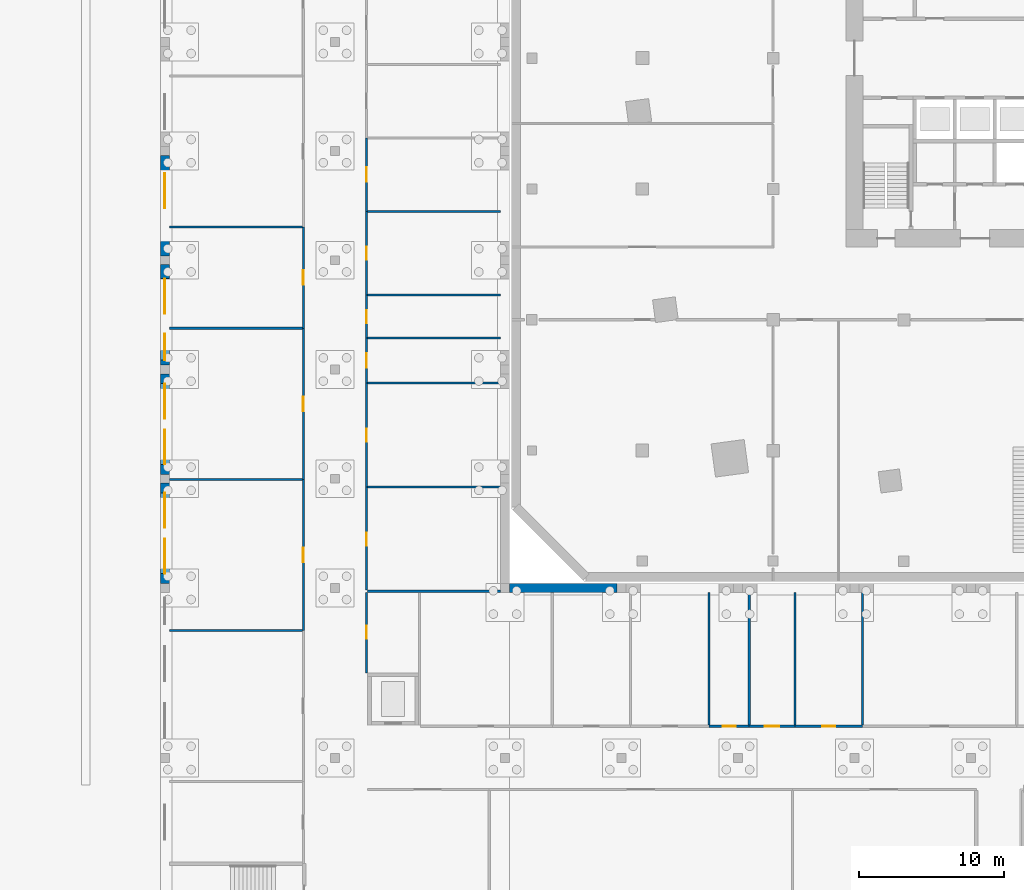
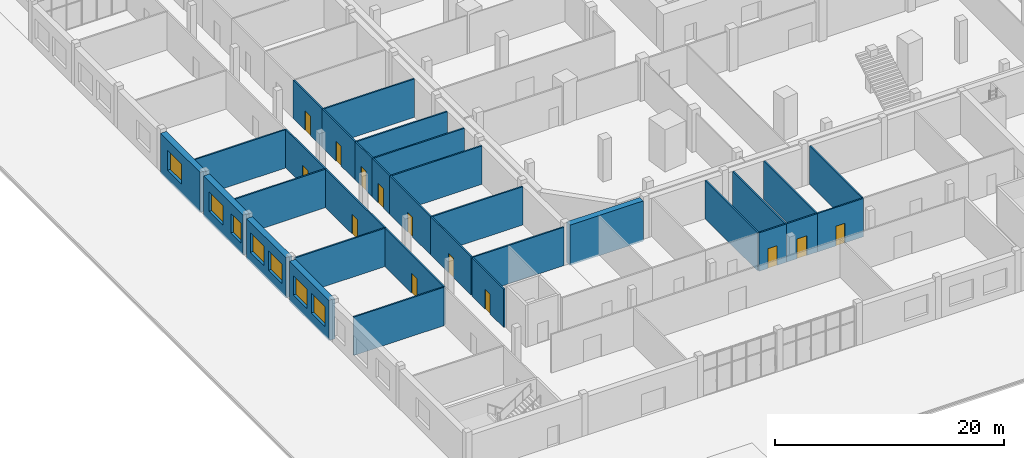
# One storey, part 24 of 42: 32 walls, 13 doors, 7 windows, 20 openings.
"""IFC4 building model written with IfcOpenShell, lengths in metres."""

from ifc_helpers import new_model, si_unit, direction, frame, frame_2d, origin, place, context, subcontext, project, spatial, rectangle, extrude, material, layer, layer_set, type_object, element, fill, save


model = new_model("IFC4")

# Units and contexts
model_context = context("Model", 3, precision=1e-05, world=origin(), true_north=direction((0.0, 1.0)))
body_context = subcontext(model_context, "Body", "Model", "MODEL_VIEW")
ifc_project = project(units=[si_unit("LENGTHUNIT", "METRE"), si_unit("AREAUNIT", "SQUARE_METRE"), si_unit("VOLUMEUNIT", "CUBIC_METRE"), si_unit("PLANEANGLEUNIT", "RADIAN"), si_unit("MASSUNIT", "GRAM", prefix="KILO")], contexts=[model_context])

# Site, building, storey
site_placement = place(None, origin())
site = spatial("IfcSite", under=ifc_project, at=site_placement, CompositionType="ELEMENT")
building_placement = place(site_placement, origin())
building = spatial("IfcBuilding", under=site, at=building_placement, Name="Dilmun Exchange Tower", CompositionType="ELEMENT")
storey_placement = place(building_placement, origin())
storey = spatial("IfcBuildingStorey", under=building, at=storey_placement, Name="L00", CompositionType="ELEMENT", Elevation=0.0)

# Wall, openings, windows
ifc_material_1 = material(Name="Precast concrete C40/50", Category="concrete")
ifc_layer_1 = layer(ifc_material_1, 0.60009765625)
ifc_layer_set_1 = layer_set([ifc_layer_1], Name="Precast concrete C40/50")
wall_type_1 = type_object("IfcWallType", Name="School external wall 600 precast C40/50", PredefinedType="STANDARD", material=ifc_layer_set_1)
wall_1_placement = place(storey_placement, frame((-59.85009765625, -36.14990234375, -0.199951171875), z_axis=(0.0, 0.0, 1.0), x_axis=(0.0, 1.0, 0.0)))
wall_1 = element("IfcWall", 1, at=wall_1_placement, inside=storey, type_object=wall_type_1, Name="School external wall", PredefinedType="STANDARD", context=body_context, shape_type="SweptSolid", body=[
    extrude(rectangle(XDim=6.914306640625, YDim=0.60009765625, at=frame_2d((3.45703125, 0.0))), origin(), (0.0, 0.0, 1.0), 4.300048828125),
])
opening_1_placement = place(wall_1_placement, frame((0.6787109375, 0.0, 1.10009765625)))
opening_1 = element("IfcOpeningElement", 2, at=opening_1_placement, cuts=wall_1, Name="Opening SCH-W24", PredefinedType="OPENING", context=body_context, shape_type="SweptSolid", body=[
    extrude(rectangle(XDim=2.39990234375, YDim=2.10009765625, at=frame_2d((1.199951171875, 1.050048828125))), frame((0.0, 0.31005859375, 0.0), z_axis=(0.0, -1.0, 0.0), x_axis=(1.0, 0.0, 0.0)), (0.0, 0.0, 1.0), 0.6201171875),
])
opening_2_placement = place(wall_1_placement, frame((3.835693359375, 0.0, 1.10009765625)))
opening_2 = element("IfcOpeningElement", 3, at=opening_2_placement, cuts=wall_1, Name="Opening SCH-W24", PredefinedType="OPENING", context=body_context, shape_type="SweptSolid", body=[
    extrude(rectangle(XDim=2.39990234375, YDim=2.10009765625, at=frame_2d((1.199951171875, 1.050048828125))), frame((0.0, 0.31005859375, 0.0), z_axis=(0.0, -1.0, 0.0), x_axis=(1.0, 0.0, 0.0)), (0.0, 0.0, 1.0), 0.6201171875),
])
ifc_material_2 = material(Name="Clear low-emissivity glass in aluminium frame", Category="aluminium")
window_type_1 = type_object("IfcWindowType", Name="School window 2400 x 2100", PartitioningType="DOUBLE_PANEL_VERTICAL", PredefinedType="WINDOW", material=ifc_material_2)
window_1_placement = place(opening_1_placement, origin())
window_1 = element("IfcWindow", 4, at=window_1_placement, inside=storey, type_object=window_type_1, Name="School window", OverallHeight=2.10009765625, OverallWidth=2.39990234375, PartitioningType="SINGLE_PANEL", PredefinedType="WINDOW", context=body_context, shape_type="SweptSolid", body=[
    extrude(rectangle(XDim=2.39990234375, YDim=2.10009765625, at=frame_2d((1.199951171875, 1.050048828125))), frame((0.0, 0.030029296875, 0.0), z_axis=(0.0, -1.0, 0.0), x_axis=(1.0, 0.0, 0.0)), (0.0, 0.0, 1.0), 0.06005859375),
])
fill(opening_1, window_1)
window_2_placement = place(opening_2_placement, origin())
window_2 = element("IfcWindow", 5, at=window_2_placement, inside=storey, type_object=window_type_1, Name="School window", OverallHeight=2.10009765625, OverallWidth=2.39990234375, PartitioningType="SINGLE_PANEL", PredefinedType="WINDOW", context=body_context, shape_type="SweptSolid", body=[
    extrude(rectangle(XDim=2.39990234375, YDim=2.10009765625, at=frame_2d((1.199951171875, 1.050048828125))), frame((0.0, 0.030029296875, 0.0), z_axis=(0.0, -1.0, 0.0), x_axis=(1.0, 0.0, 0.0)), (0.0, 0.0, 1.0), 0.06005859375),
])
fill(opening_2, window_2)

wall_2_placement = place(storey_placement, frame((-59.85009765625, -28.6357421875, -0.199951171875), z_axis=(0.0, 0.0, 1.0), x_axis=(0.0, 1.0, 0.0)))
wall_2 = element("IfcWall", 6, at=wall_2_placement, inside=storey, type_object=wall_type_1, Name="School external wall", PredefinedType="STANDARD", context=body_context, shape_type="SweptSolid", body=[
    extrude(rectangle(XDim=6.914306640625, YDim=0.60009765625, at=frame_2d((3.45703125, 0.0))), origin(), (0.0, 0.0, 1.0), 4.300048828125),
])
opening_3_placement = place(wall_2_placement, frame((0.6787109375, 0.0, 1.10009765625)))
opening_3 = element("IfcOpeningElement", 7, at=opening_3_placement, cuts=wall_2, Name="Opening SCH-W24", PredefinedType="OPENING", context=body_context, shape_type="SweptSolid", body=[
    extrude(rectangle(XDim=2.39990234375, YDim=2.10009765625, at=frame_2d((1.199951171875, 1.050048828125))), frame((0.0, 0.31005859375, 0.0), z_axis=(0.0, -1.0, 0.0), x_axis=(1.0, 0.0, 0.0)), (0.0, 0.0, 1.0), 0.6201171875),
])
opening_4_placement = place(wall_2_placement, frame((3.835693359375, 0.0, 1.10009765625)))
opening_4 = element("IfcOpeningElement", 8, at=opening_4_placement, cuts=wall_2, Name="Opening SCH-W24", PredefinedType="OPENING", context=body_context, shape_type="SweptSolid", body=[
    extrude(rectangle(XDim=2.39990234375, YDim=2.10009765625, at=frame_2d((1.199951171875, 1.050048828125))), frame((0.0, 0.31005859375, 0.0), z_axis=(0.0, -1.0, 0.0), x_axis=(1.0, 0.0, 0.0)), (0.0, 0.0, 1.0), 0.6201171875),
])
window_3_placement = place(opening_3_placement, origin())
window_3 = element("IfcWindow", 9, at=window_3_placement, inside=storey, type_object=window_type_1, Name="School window", OverallHeight=2.10009765625, OverallWidth=2.39990234375, PartitioningType="SINGLE_PANEL", PredefinedType="WINDOW", context=body_context, shape_type="SweptSolid", body=[
    extrude(rectangle(XDim=2.39990234375, YDim=2.10009765625, at=frame_2d((1.199951171875, 1.050048828125))), frame((0.0, 0.030029296875, 0.0), z_axis=(0.0, -1.0, 0.0), x_axis=(1.0, 0.0, 0.0)), (0.0, 0.0, 1.0), 0.06005859375),
])
fill(opening_3, window_3)
window_4_placement = place(opening_4_placement, origin())
window_4 = element("IfcWindow", 10, at=window_4_placement, inside=storey, type_object=window_type_1, Name="School window", OverallHeight=2.10009765625, OverallWidth=2.39990234375, PartitioningType="SINGLE_PANEL", PredefinedType="WINDOW", context=body_context, shape_type="SweptSolid", body=[
    extrude(rectangle(XDim=2.39990234375, YDim=2.10009765625, at=frame_2d((1.199951171875, 1.050048828125))), frame((0.0, 0.030029296875, 0.0), z_axis=(0.0, -1.0, 0.0), x_axis=(1.0, 0.0, 0.0)), (0.0, 0.0, 1.0), 0.06005859375),
])
fill(opening_4, window_4)

wall_3_placement = place(storey_placement, frame((-59.85009765625, -21.121337890625, -0.199951171875), z_axis=(0.0, 0.0, 1.0), x_axis=(0.0, 1.0, 0.0)))
wall_3 = element("IfcWall", 11, at=wall_3_placement, inside=storey, type_object=wall_type_1, Name="School external wall", PredefinedType="STANDARD", context=body_context, shape_type="SweptSolid", body=[
    extrude(rectangle(XDim=6.914306640625, YDim=0.60009765625, at=frame_2d((3.45703125, 0.0))), origin(), (0.0, 0.0, 1.0), 4.300048828125),
])
opening_5_placement = place(wall_3_placement, frame((0.343994140625, 0.0, 1.10009765625)))
opening_5 = element("IfcOpeningElement", 12, at=opening_5_placement, cuts=wall_3, Name="Opening SCH-W18", PredefinedType="OPENING", context=body_context, shape_type="SweptSolid", body=[
    extrude(rectangle(XDim=1.800048828125, YDim=2.10009765625, at=frame_2d((0.89990234375, 1.050048828125))), frame((0.0, 0.31005859375, 0.0), z_axis=(0.0, -1.0, 0.0), x_axis=(1.0, 0.0, 0.0)), (0.0, 0.0, 1.0), 0.6201171875),
])
opening_6_placement = place(wall_3_placement, frame((3.546142578125, 0.0, 1.10009765625)))
opening_6 = element("IfcOpeningElement", 13, at=opening_6_placement, cuts=wall_3, Name="Opening SCH-W24", PredefinedType="OPENING", context=body_context, shape_type="SweptSolid", body=[
    extrude(rectangle(XDim=2.39990234375, YDim=2.10009765625, at=frame_2d((1.199951171875, 1.050048828125))), frame((0.0, 0.31005859375, 0.0), z_axis=(0.0, -1.0, 0.0), x_axis=(1.0, 0.0, 0.0)), (0.0, 0.0, 1.0), 0.6201171875),
])
window_type_2 = type_object("IfcWindowType", Name="School window 1800 x 2100", PartitioningType="DOUBLE_PANEL_VERTICAL", PredefinedType="WINDOW", material=ifc_material_2)
window_5_placement = place(opening_5_placement, origin())
window_5 = element("IfcWindow", 14, at=window_5_placement, inside=storey, type_object=window_type_2, Name="School window", OverallHeight=2.10009765625, OverallWidth=1.800048828125, PartitioningType="SINGLE_PANEL", PredefinedType="WINDOW", context=body_context, shape_type="SweptSolid", body=[
    extrude(rectangle(XDim=1.800048828125, YDim=2.10009765625, at=frame_2d((0.89990234375, 1.050048828125))), frame((0.0, 0.030029296875, 0.0), z_axis=(0.0, -1.0, 0.0), x_axis=(1.0, 0.0, 0.0)), (0.0, 0.0, 1.0), 0.06005859375),
])
fill(opening_5, window_5)
window_6_placement = place(opening_6_placement, origin())
window_6 = element("IfcWindow", 15, at=window_6_placement, inside=storey, type_object=window_type_1, Name="School window", OverallHeight=2.10009765625, OverallWidth=2.39990234375, PartitioningType="SINGLE_PANEL", PredefinedType="WINDOW", context=body_context, shape_type="SweptSolid", body=[
    extrude(rectangle(XDim=2.39990234375, YDim=2.10009765625, at=frame_2d((1.199951171875, 1.050048828125))), frame((0.0, 0.030029296875, 0.0), z_axis=(0.0, -1.0, 0.0), x_axis=(1.0, 0.0, 0.0)), (0.0, 0.0, 1.0), 0.06005859375),
])
fill(opening_6, window_6)

# Wall, opening, window
wall_4_placement = place(storey_placement, frame((-59.85009765625, -13.607177734375, -0.199951171875), z_axis=(0.0, 0.0, 1.0), x_axis=(0.0, 1.0, 0.0)))
wall_4 = element("IfcWall", 16, at=wall_4_placement, inside=storey, type_object=wall_type_1, Name="School external wall", PredefinedType="STANDARD", context=body_context, shape_type="SweptSolid", body=[
    extrude(rectangle(XDim=6.914306640625, YDim=0.60009765625, at=frame_2d((3.45703125, 0.0))), origin(), (0.0, 0.0, 1.0), 4.300048828125),
])
opening_7_placement = place(wall_4_placement, frame((3.27783203125, 0.0, 1.10009765625)))
opening_7 = element("IfcOpeningElement", 17, at=opening_7_placement, cuts=wall_4, Name="Opening SCH-W24", PredefinedType="OPENING", context=body_context, shape_type="SweptSolid", body=[
    extrude(rectangle(XDim=2.39990234375, YDim=2.10009765625, at=frame_2d((1.199951171875, 1.050048828125))), frame((0.0, 0.31005859375, 0.0), z_axis=(0.0, -1.0, 0.0), x_axis=(1.0, 0.0, 0.0)), (0.0, 0.0, 1.0), 0.6201171875),
])
window_7_placement = place(opening_7_placement, origin())
window_7 = element("IfcWindow", 18, at=window_7_placement, inside=storey, type_object=window_type_1, Name="School window", OverallHeight=2.10009765625, OverallWidth=2.39990234375, PartitioningType="SINGLE_PANEL", PredefinedType="WINDOW", context=body_context, shape_type="SweptSolid", body=[
    extrude(rectangle(XDim=2.39990234375, YDim=2.10009765625, at=frame_2d((1.199951171875, 1.050048828125))), frame((0.0, 0.030029296875, 0.0), z_axis=(0.0, -1.0, 0.0), x_axis=(1.0, 0.0, 0.0)), (0.0, 0.0, 1.0), 0.06005859375),
])
fill(opening_7, window_7)

# Walls
wall_5_placement = place(storey_placement, frame((-36.14990234375, -36.449951171875, -0.199951171875), z_axis=(0.0, 0.0, 1.0), x_axis=(1.0, 0.0, 0.0)))
element("IfcWall", 19, at=wall_5_placement, inside=storey, type_object=wall_type_1, Name="School external wall", PredefinedType="STANDARD", context=body_context, shape_type="SweptSolid", body=[
    extrude(rectangle(XDim=7.41650390625, YDim=0.60009765625, at=frame_2d((3.708251953125, 0.0))), origin(), (0.0, 0.0, 1.0), 4.300048828125),
])
ifc_material_3 = material(Name="Gypsum board on steel studs", Category="steel")
ifc_layer_2 = layer(ifc_material_3, 0.14990234375)
ifc_layer_set_2 = layer_set([ifc_layer_2], Name="Gypsum board on steel studs")
wall_type_2 = type_object("IfcWallType", Name="School partition 150 gypsum board", PredefinedType="PARTITIONING", material=ifc_layer_set_2)
for number, where, z_axis, x_axis, name in (
    (20, (-59.550048828125, -39.371337890625, 0.0), (0.0, 0.0, 1.0), (1.0, 0.0, 0.0), "School partition"),
    (21, (-59.550048828125, -28.97998046875, 0.0), (0.0, 0.0, 1.0), (1.0, 0.0, 0.0), "School partition"),
    (22, (-59.550048828125, -18.58837890625, 0.0), (0.0, 0.0, 1.0), (1.0, 0.0, 0.0), "School partition"),
    (23, (-59.550048828125, -11.610595703125, 0.0), (0.0, 0.0, 1.0), (1.0, 0.0, 0.0), "School partition"),
):
    element("IfcWall", number, at=place(storey_placement, frame(where, z_axis=z_axis, x_axis=x_axis)), inside=storey, type_object=wall_type_2, Name=name, PredefinedType="PARTITIONING", context=body_context, shape_type="SweptSolid", body=[
        extrude(rectangle(XDim=9.150146484375, YDim=0.14990234375, at=frame_2d((4.5751953125, 0.0))), origin(), (0.0, 0.0, 1.0), 4.10009765625),
    ])

# Wall, opening, door
wall_6_placement = place(storey_placement, frame((-50.324951171875, -39.371337890625, 0.0), z_axis=(0.0, 0.0, 1.0), x_axis=(0.0, 1.0, 0.0)))
wall_6 = element("IfcWall", 24, at=wall_6_placement, inside=storey, type_object=wall_type_2, Name="School corridor wall", PredefinedType="PARTITIONING", context=body_context, shape_type="SweptSolid", body=[
    extrude(rectangle(XDim=10.391357421875, YDim=0.14990234375, at=frame_2d((5.19580078125, 0.0))), origin(), (0.0, 0.0, 1.0), 4.10009765625),
])
opening_8_placement = place(wall_6_placement, frame((4.69580078125, 0.0, 0.0)))
opening_8 = element("IfcOpeningElement", 25, at=opening_8_placement, cuts=wall_6, Name="Opening SCH-D1", PredefinedType="OPENING", context=body_context, shape_type="SweptSolid", body=[
    extrude(rectangle(XDim=1.0, YDim=2.10009765625, at=frame_2d((0.5, 1.050048828125))), frame((0.0, 0.0849609375, 0.0), z_axis=(0.0, -1.0, 0.0), x_axis=(1.0, 0.0, 0.0)), (0.0, 0.0, 1.0), 0.169921875),
])
ifc_material_4 = material(Name="Timber door leaf in steel frame", Category="steel")
door_type_1 = type_object("IfcDoorType", Name="School door FD30S 1000 x 2100", OperationType="NOTDEFINED", PredefinedType="DOOR", material=ifc_material_4)
door_1_placement = place(opening_8_placement, origin())
door_1 = element("IfcDoor", 26, at=door_1_placement, inside=storey, type_object=door_type_1, Name="Music room door", OperationType="SINGLE_SWING_RIGHT", OverallHeight=2.10009765625, OverallWidth=1.0, PredefinedType="DOOR", context=body_context, shape_type="SweptSolid", body=[
    extrude(rectangle(XDim=1.0, YDim=2.10009765625, at=frame_2d((0.5, 1.050048828125))), frame((0.0, 0.02490234375, 0.0), z_axis=(0.0, -1.0, 0.0), x_axis=(1.0, 0.0, 0.0)), (0.0, 0.0, 1.0), 0.050048828125),
])
fill(opening_8, door_1)

wall_7_placement = place(storey_placement, frame((-50.324951171875, -28.97998046875, 0.0), z_axis=(0.0, 0.0, 1.0), x_axis=(0.0, 1.0, 0.0)))
wall_7 = element("IfcWall", 27, at=wall_7_placement, inside=storey, type_object=wall_type_2, Name="School corridor wall", PredefinedType="PARTITIONING", context=body_context, shape_type="SweptSolid", body=[
    extrude(rectangle(XDim=10.3916015625, YDim=0.14990234375, at=frame_2d((5.19580078125, 0.0))), origin(), (0.0, 0.0, 1.0), 4.10009765625),
])
opening_9_placement = place(wall_7_placement, frame((4.69580078125, 0.0, 0.0)))
opening_9 = element("IfcOpeningElement", 28, at=opening_9_placement, cuts=wall_7, Name="Opening SCH-D1", PredefinedType="OPENING", context=body_context, shape_type="SweptSolid", body=[
    extrude(rectangle(XDim=1.0, YDim=2.10009765625, at=frame_2d((0.5, 1.050048828125))), frame((0.0, 0.0849609375, 0.0), z_axis=(0.0, -1.0, 0.0), x_axis=(1.0, 0.0, 0.0)), (0.0, 0.0, 1.0), 0.169921875),
])
door_2_placement = place(opening_9_placement, origin())
door_2 = element("IfcDoor", 29, at=door_2_placement, inside=storey, type_object=door_type_1, Name="Design and technology workshop door", OperationType="SINGLE_SWING_LEFT", OverallHeight=2.10009765625, OverallWidth=1.0, PredefinedType="DOOR", context=body_context, shape_type="SweptSolid", body=[
    extrude(rectangle(XDim=1.0, YDim=2.10009765625, at=frame_2d((0.5, 1.050048828125))), frame((0.0, 0.02490234375, 0.0), z_axis=(0.0, -1.0, 0.0), x_axis=(1.0, 0.0, 0.0)), (0.0, 0.0, 1.0), 0.050048828125),
])
fill(opening_9, door_2)

wall_8_placement = place(storey_placement, frame((-50.324951171875, -18.58837890625, 0.0), z_axis=(0.0, 0.0, 1.0), x_axis=(0.0, 1.0, 0.0)))
wall_8 = element("IfcWall", 30, at=wall_8_placement, inside=storey, type_object=wall_type_2, Name="School corridor wall", PredefinedType="PARTITIONING", context=body_context, shape_type="SweptSolid", body=[
    extrude(rectangle(XDim=6.977783203125, YDim=0.14990234375, at=frame_2d((3.48876953125, 0.0))), origin(), (0.0, 0.0, 1.0), 4.10009765625),
])
opening_10_placement = place(wall_8_placement, frame((2.98876953125, 0.0, 0.0)))
opening_10 = element("IfcOpeningElement", 31, at=opening_10_placement, cuts=wall_8, Name="Opening SCH-D1", PredefinedType="OPENING", context=body_context, shape_type="SweptSolid", body=[
    extrude(rectangle(XDim=1.0, YDim=2.10009765625, at=frame_2d((0.5, 1.050048828125))), frame((0.0, 0.0849609375, 0.0), z_axis=(0.0, -1.0, 0.0), x_axis=(1.0, 0.0, 0.0)), (0.0, 0.0, 1.0), 0.169921875),
])
door_3_placement = place(opening_10_placement, origin())
door_3 = element("IfcDoor", 32, at=door_3_placement, inside=storey, type_object=door_type_1, Name="Textiles room door", OperationType="SINGLE_SWING_RIGHT", OverallHeight=2.10009765625, OverallWidth=1.0, PredefinedType="DOOR", context=body_context, shape_type="SweptSolid", body=[
    extrude(rectangle(XDim=1.0, YDim=2.10009765625, at=frame_2d((0.5, 1.050048828125))), frame((0.0, 0.02490234375, 0.0), z_axis=(0.0, -1.0, 0.0), x_axis=(1.0, 0.0, 0.0)), (0.0, 0.0, 1.0), 0.050048828125),
])
fill(opening_10, door_3)

# Walls
for number, where, z_axis, x_axis, name in (
    (33, (-45.89990234375, -29.513427734375, 0.0), (0.0, 0.0, 1.0), (1.0, 0.0, 0.0), "School partition"),
    (34, (-45.89990234375, -22.351806640625, 0.0), (0.0, 0.0, 1.0), (1.0, 0.0, 0.0), "School partition"),
    (35, (-45.89990234375, -19.2568359375, 0.0), (0.0, 0.0, 1.0), (1.0, 0.0, 0.0), "School partition"),
    (36, (-45.89990234375, -16.30224609375, 0.0), (0.0, 0.0, 1.0), (1.0, 0.0, 0.0), "School partition"),
    (37, (-45.89990234375, -10.54296875, 0.0), (0.0, 0.0, 1.0), (1.0, 0.0, 0.0), "School partition"),
):
    element("IfcWall", number, at=place(storey_placement, frame(where, z_axis=z_axis, x_axis=x_axis)), inside=storey, type_object=wall_type_2, Name=name, PredefinedType="PARTITIONING", context=body_context, shape_type="SweptSolid", body=[
        extrude(rectangle(XDim=9.14990234375, YDim=0.14990234375, at=frame_2d((4.574951171875, 0.0))), origin(), (0.0, 0.0, 1.0), 4.10009765625),
    ])

# Wall, opening, door
wall_9_placement = place(storey_placement, frame((-45.97509765625, -36.60009765625, 0.0), z_axis=(0.0, 0.0, 1.0), x_axis=(0.0, 1.0, 0.0)))
wall_9 = element("IfcWall", 38, at=wall_9_placement, inside=storey, type_object=wall_type_2, Name="School corridor wall", PredefinedType="PARTITIONING", context=body_context, shape_type="SweptSolid", body=[
    extrude(rectangle(XDim=7.086669921875, YDim=0.14990234375, at=frame_2d((3.54345703125, 0.0))), origin(), (0.0, 0.0, 1.0), 4.10009765625),
])
opening_11_placement = place(wall_9_placement, frame((3.055908203125, 0.0, 0.0)))
opening_11 = element("IfcOpeningElement", 39, at=opening_11_placement, cuts=wall_9, Name="Opening SCH-D2", PredefinedType="OPENING", context=body_context, shape_type="SweptSolid", body=[
    extrude(rectangle(XDim=0.89990234375, YDim=2.10009765625, at=frame_2d((0.449951171875, 1.050048828125))), frame((0.0, 0.0849609375, 0.0), z_axis=(0.0, -1.0, 0.0), x_axis=(1.0, 0.0, 0.0)), (0.0, 0.0, 1.0), 0.169921875),
])
door_type_2 = type_object("IfcDoorType", Name="School door FD30S 900 x 2100", OperationType="NOTDEFINED", PredefinedType="DOOR", material=ifc_material_4)
door_4_placement = place(opening_11_placement, origin())
door_4 = element("IfcDoor", 40, at=door_4_placement, inside=storey, type_object=door_type_2, Name="Boys WC door", OperationType="SINGLE_SWING_RIGHT", OverallHeight=2.10009765625, OverallWidth=0.89990234375, PredefinedType="DOOR", context=body_context, shape_type="SweptSolid", body=[
    extrude(rectangle(XDim=0.89990234375, YDim=2.10009765625, at=frame_2d((0.449951171875, 1.050048828125))), frame((0.0, 0.02490234375, 0.0), z_axis=(0.0, -1.0, 0.0), x_axis=(1.0, 0.0, 0.0)), (0.0, 0.0, 1.0), 0.050048828125),
])
fill(opening_11, door_4)

wall_10_placement = place(storey_placement, frame((-45.97509765625, -29.513427734375, 0.0), z_axis=(0.0, 0.0, 1.0), x_axis=(0.0, 1.0, 0.0)))
wall_10 = element("IfcWall", 41, at=wall_10_placement, inside=storey, type_object=wall_type_2, Name="School corridor wall", PredefinedType="PARTITIONING", context=body_context, shape_type="SweptSolid", body=[
    extrude(rectangle(XDim=7.16162109375, YDim=0.14990234375, at=frame_2d((3.580810546875, 0.0))), origin(), (0.0, 0.0, 1.0), 4.10009765625),
])
opening_12_placement = place(wall_10_placement, frame((3.130859375, 0.0, 0.0)))
opening_12 = element("IfcOpeningElement", 42, at=opening_12_placement, cuts=wall_10, Name="Opening SCH-D2", PredefinedType="OPENING", context=body_context, shape_type="SweptSolid", body=[
    extrude(rectangle(XDim=0.89990234375, YDim=2.10009765625, at=frame_2d((0.449951171875, 1.050048828125))), frame((0.0, 0.0849609375, 0.0), z_axis=(0.0, -1.0, 0.0), x_axis=(1.0, 0.0, 0.0)), (0.0, 0.0, 1.0), 0.169921875),
])
door_5_placement = place(opening_12_placement, origin())
door_5 = element("IfcDoor", 43, at=door_5_placement, inside=storey, type_object=door_type_2, Name="Girls WC door", OperationType="SINGLE_SWING_LEFT", OverallHeight=2.10009765625, OverallWidth=0.89990234375, PredefinedType="DOOR", context=body_context, shape_type="SweptSolid", body=[
    extrude(rectangle(XDim=0.89990234375, YDim=2.10009765625, at=frame_2d((0.449951171875, 1.050048828125))), frame((0.0, 0.02490234375, 0.0), z_axis=(0.0, -1.0, 0.0), x_axis=(1.0, 0.0, 0.0)), (0.0, 0.0, 1.0), 0.050048828125),
])
fill(opening_12, door_5)

wall_11_placement = place(storey_placement, frame((-45.97509765625, -22.351806640625, 0.0), z_axis=(0.0, 0.0, 1.0), x_axis=(0.0, 1.0, 0.0)))
wall_11 = element("IfcWall", 44, at=wall_11_placement, inside=storey, type_object=wall_type_2, Name="School corridor wall", PredefinedType="PARTITIONING", context=body_context, shape_type="SweptSolid", body=[
    extrude(rectangle(XDim=3.094970703125, YDim=0.14990234375, at=frame_2d((1.54736328125, 0.0))), origin(), (0.0, 0.0, 1.0), 4.10009765625),
])
opening_13_placement = place(wall_11_placement, frame((1.047607421875, 0.0, 0.0)))
opening_13 = element("IfcOpeningElement", 45, at=opening_13_placement, cuts=wall_11, Name="Opening SCH-D1", PredefinedType="OPENING", context=body_context, shape_type="SweptSolid", body=[
    extrude(rectangle(XDim=1.0, YDim=2.10009765625, at=frame_2d((0.5, 1.050048828125))), frame((0.0, 0.0849609375, 0.0), z_axis=(0.0, -1.0, 0.0), x_axis=(1.0, 0.0, 0.0)), (0.0, 0.0, 1.0), 0.169921875),
])
door_6_placement = place(opening_13_placement, origin())
door_6 = element("IfcDoor", 46, at=door_6_placement, inside=storey, type_object=door_type_1, Name="Accessible WC door", OperationType="SINGLE_SWING_RIGHT", OverallHeight=2.10009765625, OverallWidth=1.0, PredefinedType="DOOR", context=body_context, shape_type="SweptSolid", body=[
    extrude(rectangle(XDim=1.0, YDim=2.10009765625, at=frame_2d((0.5, 1.050048828125))), frame((0.0, 0.02490234375, 0.0), z_axis=(0.0, -1.0, 0.0), x_axis=(1.0, 0.0, 0.0)), (0.0, 0.0, 1.0), 0.050048828125),
])
fill(opening_13, door_6)

wall_12_placement = place(storey_placement, frame((-45.97509765625, -19.2568359375, 0.0), z_axis=(0.0, 0.0, 1.0), x_axis=(0.0, 1.0, 0.0)))
wall_12 = element("IfcWall", 47, at=wall_12_placement, inside=storey, type_object=wall_type_2, Name="School corridor wall", PredefinedType="PARTITIONING", context=body_context, shape_type="SweptSolid", body=[
    extrude(rectangle(XDim=2.95458984375, YDim=0.14990234375, at=frame_2d((1.477294921875, 0.0))), origin(), (0.0, 0.0, 1.0), 4.10009765625),
])
opening_14_placement = place(wall_12_placement, frame((1.02734375, 0.0, 0.0)))
opening_14 = element("IfcOpeningElement", 48, at=opening_14_placement, cuts=wall_12, Name="Opening SCH-D2", PredefinedType="OPENING", context=body_context, shape_type="SweptSolid", body=[
    extrude(rectangle(XDim=0.89990234375, YDim=2.10009765625, at=frame_2d((0.449951171875, 1.050048828125))), frame((0.0, 0.0849609375, 0.0), z_axis=(0.0, -1.0, 0.0), x_axis=(1.0, 0.0, 0.0)), (0.0, 0.0, 1.0), 0.169921875),
])
door_7_placement = place(opening_14_placement, origin())
door_7 = element("IfcDoor", 49, at=door_7_placement, inside=storey, type_object=door_type_2, Name="Cleaner's store door", OperationType="SINGLE_SWING_LEFT", OverallHeight=2.10009765625, OverallWidth=0.89990234375, PredefinedType="DOOR", context=body_context, shape_type="SweptSolid", body=[
    extrude(rectangle(XDim=0.89990234375, YDim=2.10009765625, at=frame_2d((0.449951171875, 1.050048828125))), frame((0.0, 0.02490234375, 0.0), z_axis=(0.0, -1.0, 0.0), x_axis=(1.0, 0.0, 0.0)), (0.0, 0.0, 1.0), 0.050048828125),
])
fill(opening_14, door_7)

wall_13_placement = place(storey_placement, frame((-45.97509765625, -16.30224609375, 0.0), z_axis=(0.0, 0.0, 1.0), x_axis=(0.0, 1.0, 0.0)))
wall_13 = element("IfcWall", 50, at=wall_13_placement, inside=storey, type_object=wall_type_2, Name="School corridor wall", PredefinedType="PARTITIONING", context=body_context, shape_type="SweptSolid", body=[
    extrude(rectangle(XDim=5.75927734375, YDim=0.14990234375, at=frame_2d((2.879638671875, 0.0))), origin(), (0.0, 0.0, 1.0), 4.10009765625),
])
opening_15_placement = place(wall_13_placement, frame((2.4296875, 0.0, 0.0)))
opening_15 = element("IfcOpeningElement", 51, at=opening_15_placement, cuts=wall_13, Name="Opening SCH-D2", PredefinedType="OPENING", context=body_context, shape_type="SweptSolid", body=[
    extrude(rectangle(XDim=0.89990234375, YDim=2.10009765625, at=frame_2d((0.449951171875, 1.050048828125))), frame((0.0, 0.0849609375, 0.0), z_axis=(0.0, -1.0, 0.0), x_axis=(1.0, 0.0, 0.0)), (0.0, 0.0, 1.0), 0.169921875),
])
door_8_placement = place(opening_15_placement, origin())
door_8 = element("IfcDoor", 52, at=door_8_placement, inside=storey, type_object=door_type_2, Name="Instrument store door", OperationType="SINGLE_SWING_RIGHT", OverallHeight=2.10009765625, OverallWidth=0.89990234375, PredefinedType="DOOR", context=body_context, shape_type="SweptSolid", body=[
    extrude(rectangle(XDim=0.89990234375, YDim=2.10009765625, at=frame_2d((0.449951171875, 1.050048828125))), frame((0.0, 0.02490234375, 0.0), z_axis=(0.0, -1.0, 0.0), x_axis=(1.0, 0.0, 0.0)), (0.0, 0.0, 1.0), 0.050048828125),
])
fill(opening_15, door_8)

wall_14_placement = place(storey_placement, frame((-45.97509765625, -10.54296875, 0.0), z_axis=(0.0, 0.0, 1.0), x_axis=(0.0, 1.0, 0.0)))
wall_14 = element("IfcWall", 53, at=wall_14_placement, inside=storey, type_object=wall_type_2, Name="School corridor wall", PredefinedType="PARTITIONING", context=body_context, shape_type="SweptSolid", body=[
    extrude(rectangle(XDim=5.05810546875, YDim=0.14990234375, at=frame_2d((2.529052734375, 0.0))), origin(), (0.0, 0.0, 1.0), 4.10009765625),
])
opening_16_placement = place(wall_14_placement, frame((2.029052734375, 0.0, 0.0)))
opening_16 = element("IfcOpeningElement", 54, at=opening_16_placement, cuts=wall_14, Name="Opening SCH-D1", PredefinedType="OPENING", context=body_context, shape_type="SweptSolid", body=[
    extrude(rectangle(XDim=1.0, YDim=2.10009765625, at=frame_2d((0.5, 1.050048828125))), frame((0.0, 0.0849609375, 0.0), z_axis=(0.0, -1.0, 0.0), x_axis=(1.0, 0.0, 0.0)), (0.0, 0.0, 1.0), 0.169921875),
])
door_9_placement = place(opening_16_placement, origin())
door_9 = element("IfcDoor", 55, at=door_9_placement, inside=storey, type_object=door_type_1, Name="Music practice room door", OperationType="SINGLE_SWING_LEFT", OverallHeight=2.10009765625, OverallWidth=1.0, PredefinedType="DOOR", context=body_context, shape_type="SweptSolid", body=[
    extrude(rectangle(XDim=1.0, YDim=2.10009765625, at=frame_2d((0.5, 1.050048828125))), frame((0.0, 0.02490234375, 0.0), z_axis=(0.0, -1.0, 0.0), x_axis=(1.0, 0.0, 0.0)), (0.0, 0.0, 1.0), 0.050048828125),
])
fill(opening_16, door_9)

# Walls
for number, where, z_axis, x_axis, name in (
    (56, (-22.415283203125, -45.89990234375, 0.0), (0.0, 0.0, 1.0), (0.0, 1.0, 0.0), "School partition"),
    (57, (-19.6455078125, -45.89990234375, 0.0), (0.0, 0.0, 1.0), (0.0, 1.0, 0.0), "School partition"),
    (58, (-16.501708984375, -45.89990234375, 0.0), (0.0, 0.0, 1.0), (0.0, 1.0, 0.0), "School partition"),
    (59, (-11.861083984375, -45.89990234375, 0.0), (0.0, 0.0, 1.0), (0.0, 1.0, 0.0), "School partition"),
):
    element("IfcWall", number, at=place(storey_placement, frame(where, z_axis=z_axis, x_axis=x_axis)), inside=storey, type_object=wall_type_2, Name=name, PredefinedType="PARTITIONING", context=body_context, shape_type="SweptSolid", body=[
        extrude(rectangle(XDim=9.14990234375, YDim=0.14990234375, at=frame_2d((4.574951171875, 0.0))), origin(), (0.0, 0.0, 1.0), 4.10009765625),
    ])

# Wall, opening, door
wall_15_placement = place(storey_placement, frame((-22.415283203125, -45.97509765625, 0.0), z_axis=(0.0, 0.0, 1.0), x_axis=(1.0, 0.0, 0.0)))
wall_15 = element("IfcWall", 60, at=wall_15_placement, inside=storey, type_object=wall_type_2, Name="School corridor wall", PredefinedType="PARTITIONING", context=body_context, shape_type="SweptSolid", body=[
    extrude(rectangle(XDim=2.769775390625, YDim=0.14990234375, at=frame_2d((1.384765625, 0.0))), origin(), (0.0, 0.0, 1.0), 4.10009765625),
])
opening_17_placement = place(wall_15_placement, frame((0.934814453125, 0.0, 0.0)))
opening_17 = element("IfcOpeningElement", 61, at=opening_17_placement, cuts=wall_15, Name="Opening SCH-D2", PredefinedType="OPENING", context=body_context, shape_type="SweptSolid", body=[
    extrude(rectangle(XDim=0.89990234375, YDim=2.10009765625, at=frame_2d((0.449951171875, 1.050048828125))), frame((0.0, 0.0849609375, 0.0), z_axis=(0.0, -1.0, 0.0), x_axis=(1.0, 0.0, 0.0)), (0.0, 0.0, 1.0), 0.169921875),
])
door_10_placement = place(opening_17_placement, origin())
door_10 = element("IfcDoor", 62, at=door_10_placement, inside=storey, type_object=door_type_2, Name="Staff WC door", OperationType="SINGLE_SWING_RIGHT", OverallHeight=2.10009765625, OverallWidth=0.89990234375, PredefinedType="DOOR", context=body_context, shape_type="SweptSolid", body=[
    extrude(rectangle(XDim=0.89990234375, YDim=2.10009765625, at=frame_2d((0.449951171875, 1.050048828125))), frame((0.0, 0.02490234375, 0.0), z_axis=(0.0, -1.0, 0.0), x_axis=(1.0, 0.0, 0.0)), (0.0, 0.0, 1.0), 0.050048828125),
])
fill(opening_17, door_10)

wall_16_placement = place(storey_placement, frame((-19.6455078125, -45.97509765625, 0.0), z_axis=(0.0, 0.0, 1.0), x_axis=(1.0, 0.0, 0.0)))
wall_16 = element("IfcWall", 63, at=wall_16_placement, inside=storey, type_object=wall_type_2, Name="School corridor wall", PredefinedType="PARTITIONING", context=body_context, shape_type="SweptSolid", body=[
    extrude(rectangle(XDim=3.143798828125, YDim=0.14990234375, at=frame_2d((1.57177734375, 0.0))), origin(), (0.0, 0.0, 1.0), 4.10009765625),
])
opening_18_placement = place(wall_16_placement, frame((1.072021484375, 0.0, 0.0)))
opening_18 = element("IfcOpeningElement", 64, at=opening_18_placement, cuts=wall_16, Name="Opening SCH-D1", PredefinedType="OPENING", context=body_context, shape_type="SweptSolid", body=[
    extrude(rectangle(XDim=1.0, YDim=2.10009765625, at=frame_2d((0.5, 1.050048828125))), frame((0.0, 0.0849609375, 0.0), z_axis=(0.0, -1.0, 0.0), x_axis=(1.0, 0.0, 0.0)), (0.0, 0.0, 1.0), 0.169921875),
])
door_11_placement = place(opening_18_placement, origin())
door_11 = element("IfcDoor", 65, at=door_11_placement, inside=storey, type_object=door_type_1, Name="Accessible WC door", OperationType="SINGLE_SWING_LEFT", OverallHeight=2.10009765625, OverallWidth=1.0, PredefinedType="DOOR", context=body_context, shape_type="SweptSolid", body=[
    extrude(rectangle(XDim=1.0, YDim=2.10009765625, at=frame_2d((0.5, 1.050048828125))), frame((0.0, 0.02490234375, 0.0), z_axis=(0.0, -1.0, 0.0), x_axis=(1.0, 0.0, 0.0)), (0.0, 0.0, 1.0), 0.050048828125),
])
fill(opening_18, door_11)

wall_17_placement = place(storey_placement, frame((-16.501708984375, -45.97509765625, 0.0), z_axis=(0.0, 0.0, 1.0), x_axis=(1.0, 0.0, 0.0)))
wall_17 = element("IfcWall", 66, at=wall_17_placement, inside=storey, type_object=wall_type_2, Name="School corridor wall", PredefinedType="PARTITIONING", context=body_context, shape_type="SweptSolid", body=[
    extrude(rectangle(XDim=4.640625, YDim=0.14990234375, at=frame_2d((2.3203125, 0.0))), origin(), (0.0, 0.0, 1.0), 4.10009765625),
])
opening_19_placement = place(wall_17_placement, frame((1.870361328125, 0.0, 0.0)))
opening_19 = element("IfcOpeningElement", 67, at=opening_19_placement, cuts=wall_17, Name="Opening SCH-D2", PredefinedType="OPENING", context=body_context, shape_type="SweptSolid", body=[
    extrude(rectangle(XDim=0.89990234375, YDim=2.10009765625, at=frame_2d((0.449951171875, 1.050048828125))), frame((0.0, 0.0849609375, 0.0), z_axis=(0.0, -1.0, 0.0), x_axis=(1.0, 0.0, 0.0)), (0.0, 0.0, 1.0), 0.169921875),
])
door_12_placement = place(opening_19_placement, origin())
door_12 = element("IfcDoor", 68, at=door_12_placement, inside=storey, type_object=door_type_2, Name="Plant room door", OperationType="SINGLE_SWING_RIGHT", OverallHeight=2.10009765625, OverallWidth=0.89990234375, PredefinedType="DOOR", context=body_context, shape_type="SweptSolid", body=[
    extrude(rectangle(XDim=0.89990234375, YDim=2.10009765625, at=frame_2d((0.449951171875, 1.050048828125))), frame((0.0, 0.02490234375, 0.0), z_axis=(0.0, -1.0, 0.0), x_axis=(1.0, 0.0, 0.0)), (0.0, 0.0, 1.0), 0.050048828125),
])
fill(opening_19, door_12)

# Wall
wall_18_placement = place(storey_placement, frame((-45.89990234375, -36.675048828125, 0.0), z_axis=(0.0, 0.0, 1.0), x_axis=(1.0, 0.0, 0.0)))
element("IfcWall", 69, at=wall_18_placement, inside=storey, type_object=wall_type_2, Name="School partition", PredefinedType="PARTITIONING", context=body_context, shape_type="SweptSolid", body=[
    extrude(rectangle(XDim=9.14990234375, YDim=0.14990234375, at=frame_2d((4.574951171875, 0.0))), origin(), (0.0, 0.0, 1.0), 4.10009765625),
])

# Wall, opening, door
wall_19_placement = place(storey_placement, frame((-45.97509765625, -42.300048828125, 0.0), z_axis=(0.0, 0.0, 1.0), x_axis=(0.0, 1.0, 0.0)))
wall_19 = element("IfcWall", 70, at=wall_19_placement, inside=storey, type_object=wall_type_2, Name="School corridor wall", PredefinedType="PARTITIONING", context=body_context, shape_type="SweptSolid", body=[
    extrude(rectangle(XDim=5.550048828125, YDim=0.14990234375, at=frame_2d((2.77490234375, 0.0))), origin(), (0.0, 0.0, 1.0), 4.10009765625),
])
opening_20_placement = place(wall_19_placement, frame((2.35009765625, 0.0, 0.0)))
opening_20 = element("IfcOpeningElement", 71, at=opening_20_placement, cuts=wall_19, Name="Opening SCH-D2", PredefinedType="OPENING", context=body_context, shape_type="SweptSolid", body=[
    extrude(rectangle(XDim=0.89990234375, YDim=2.10009765625, at=frame_2d((0.449951171875, 1.050048828125))), frame((0.0, 0.0849609375, 0.0), z_axis=(0.0, -1.0, 0.0), x_axis=(1.0, 0.0, 0.0)), (0.0, 0.0, 1.0), 0.169921875),
])
door_13_placement = place(opening_20_placement, origin())
door_13 = element("IfcDoor", 72, at=door_13_placement, inside=storey, type_object=door_type_2, Name="Service cell door", OperationType="SINGLE_SWING_RIGHT", OverallHeight=2.10009765625, OverallWidth=0.89990234375, PredefinedType="DOOR", context=body_context, shape_type="SweptSolid", body=[
    extrude(rectangle(XDim=0.89990234375, YDim=2.10009765625, at=frame_2d((0.449951171875, 1.050048828125))), frame((0.0, 0.02490234375, 0.0), z_axis=(0.0, -1.0, 0.0), x_axis=(1.0, 0.0, 0.0)), (0.0, 0.0, 1.0), 0.050048828125),
])
fill(opening_20, door_13)

save(model, "model.ifc")
